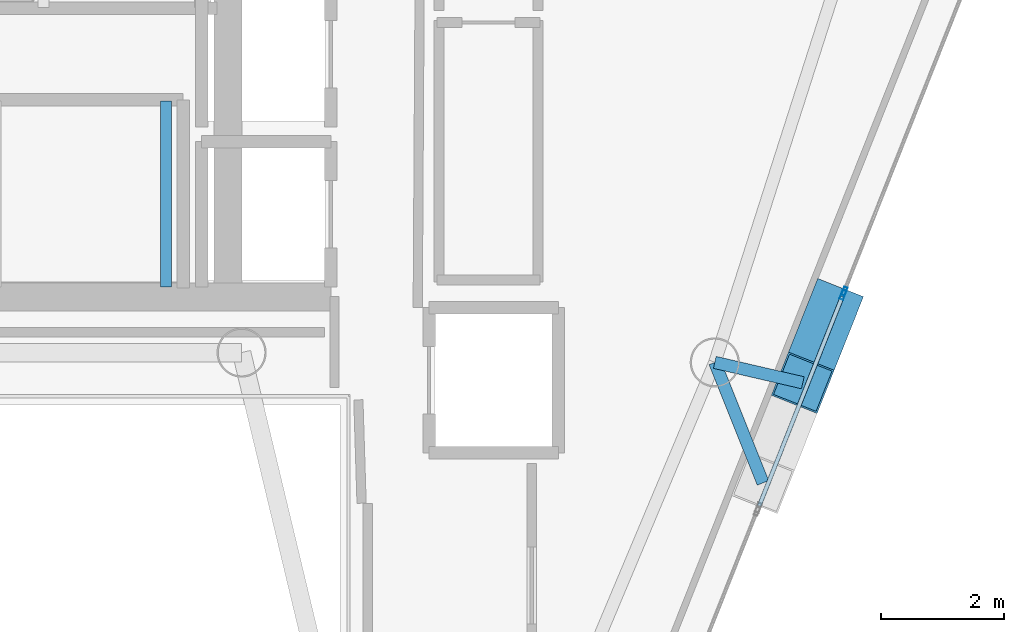
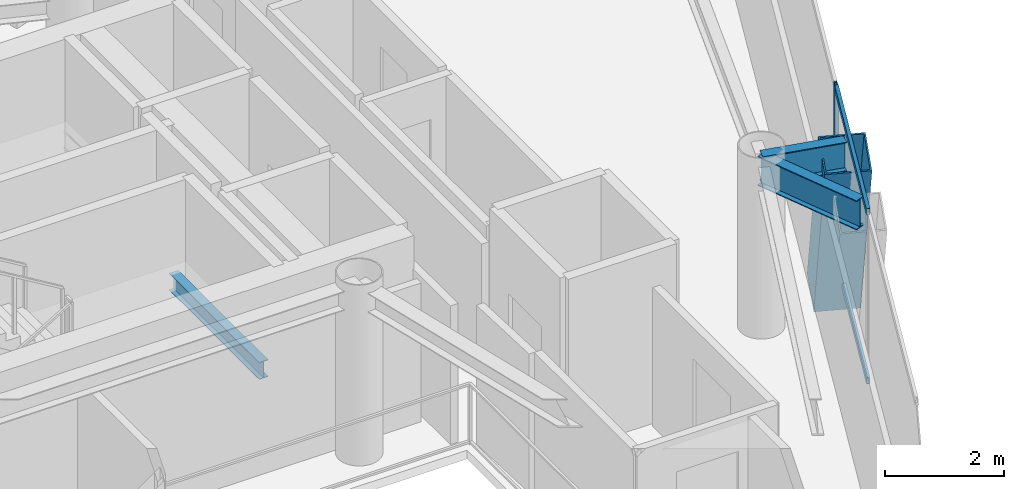
# One storey, part 10 of 18: 5 members, 3 beams, 2 elements without a shape of their own.
"""IFC4 building model written with IfcOpenShell, lengths in metres."""

from ifc_helpers import new_model, si_unit, direction, frame, origin, origin_2d, place, context, subcontext, project, spatial, hollow_rectangle, i_section, extrude, material, layer, layer_set, material_profile, profile_set, type_object, element, aggregate, save


model = new_model("IFC4")

# Units and contexts
model_context = context("Model", 3, precision=1e-05, world=origin(), true_north=direction((0.0, 1.0)))
body_context = subcontext(model_context, "Body", "Model", "MODEL_VIEW")
ifc_project = project(units=[si_unit("LENGTHUNIT", "METRE"), si_unit("AREAUNIT", "SQUARE_METRE"), si_unit("VOLUMEUNIT", "CUBIC_METRE"), si_unit("PLANEANGLEUNIT", "RADIAN"), si_unit("MASSUNIT", "GRAM", prefix="KILO")], contexts=[model_context])

# Site, building, storey
site_placement = place(None, origin())
site = spatial("IfcSite", under=ifc_project, at=site_placement, CompositionType="ELEMENT")
building_placement = place(site_placement, origin())
building = spatial("IfcBuilding", under=site, at=building_placement, Name="Qianvela Tower", CompositionType="ELEMENT")
storey_placement = place(building_placement, frame((0.0, 0.0, 337.0)))
storey = spatial("IfcBuildingStorey", under=building, at=storey_placement, Name="L87", CompositionType="ELEMENT", Elevation=337.0)

# Beams
ifc_material_1 = material(Name="Steel Q355B", Category="steel")
ifc_material_profile_1 = material_profile(ifc_material_1, i_section(OverallWidth=0.175048828125, OverallDepth=0.35009765625, WebThickness=0.007080078125, FlangeThickness=0.010986328125, at=origin_2d()), Name="HN350x175x7x11")
ifc_profile_set_1 = profile_set([ifc_material_profile_1], Name="Steel Q355B")
beam_type_1 = type_object("IfcBeamType", Name="BM-HN350-JOIST", PredefinedType="JOIST", material=ifc_profile_set_1)
beam_1_placement = place(storey_placement, frame((37.169921875, 24.919921875, 1.47509765625), z_axis=(0.0, 1.0, 0.0), x_axis=(-1.0, 0.0, 0.0)))
element("IfcBeam", 1, at=beam_1_placement, inside=storey, type_object=beam_type_1, Name="L87 Stair ST-2 Landing Support Beam 1.2", PredefinedType="JOIST", context=body_context, shape_type="SweptSolid", body=[
    extrude(i_section(OverallWidth=0.175048828125, OverallDepth=0.35009765625, WebThickness=0.007080078125, FlangeThickness=0.010986328125, at=origin_2d()), origin(), (0.0, 0.0, 1.0), 3.02001953125),
])
ifc_material_2 = material(Name="Steel Q355B", Category="steel")
ifc_material_profile_2 = material_profile(ifc_material_2, i_section(OverallWidth=0.199951171875, OverallDepth=0.60009765625, WebThickness=0.010986328125, FlangeThickness=0.01708984375, at=origin_2d()), Name="HN600x200x11x17")
ifc_profile_set_2 = profile_set([ifc_material_profile_2], Name="Steel Q355B")
beam_type_2 = type_object("IfcBeamType", Name="BM-HN600-GIRD", PredefinedType="BEAM", material=ifc_profile_set_2)
beam_2_placement = place(storey_placement, frame((46.094970703125, 23.69091796875, 3.218017578125), z_axis=(0.371629895339, -0.92838096754, 0.0), x_axis=(0.92838096754, 0.371629895339, 0.0)))
element("IfcBeam", 2, at=beam_2_placement, inside=storey, type_object=beam_type_2, Name="L87 Mega-Brace Column Tie Bracket F3-1", PredefinedType="BEAM", context=body_context, shape_type="SweptSolid", body=[
    extrude(i_section(OverallWidth=0.199951171875, OverallDepth=0.60009765625, WebThickness=0.010986328125, FlangeThickness=0.01708984375, at=origin_2d()), origin(), (0.0, 0.0, 1.0), 2.111328125),
])
beam_3_placement = place(storey_placement, frame((46.094970703125, 23.69091796875, 3.218017578125), z_axis=(0.974236909554, -0.22552703621, 0.0), x_axis=(0.22552703621, 0.974236909554, 0.0)))
element("IfcBeam", 3, at=beam_3_placement, inside=storey, type_object=beam_type_2, Name="L87 Mega-Brace Column Tie Bracket F3-2", PredefinedType="BEAM", context=body_context, shape_type="SweptSolid", body=[
    extrude(i_section(OverallWidth=0.199951171875, OverallDepth=0.60009765625, WebThickness=0.010986328125, FlangeThickness=0.01708984375, at=origin_2d()), origin(), (0.0, 0.0, 1.0), 1.468994140625),
])

# Curtain wall, members
ifc_material_3 = material(Name="Anodised Architectural Aluminium and Insulated Spandrel Panel", Category="aluminium")
ifc_layer_1 = layer(ifc_material_3, 0.179931640625)
ifc_layer_set_1 = layer_set([ifc_layer_1], Name="Anodised Architectural Aluminium and Insulated Spandrel Panel")
curtain_wall_type_1 = type_object("IfcCurtainWallType", Name="CW-BRACEBAY", PredefinedType="USERDEFINED", material=ifc_layer_set_1)
curtain_wall_1_placement = place(storey_placement, origin())
curtain_wall_1 = element("IfcCurtainWall", 4, at=curtain_wall_1_placement, inside=storey, type_object=curtain_wall_type_1, Name="L87 CW-BRACEBAY Curtain Wall 06B", ObjectType="CURTAIN_WALL_SYSTEM", PredefinedType="USERDEFINED")
ifc_material_4 = material(Name="Anodised Architectural Aluminium 6063-T6", Category="aluminium")
ifc_material_profile_3 = material_profile(ifc_material_4, hollow_rectangle(XDim=0.06494140625, YDim=0.159912109375, WallThickness=0.0048828125, at=origin_2d()), Name="ALU-MULL-65x160")
ifc_profile_set_3 = profile_set([ifc_material_profile_3], Name="Anodised Architectural Aluminium 6063-T6")
member_type_1 = type_object("IfcMemberType", Name="CW-BRACEBAY-MULL", PredefinedType="MULLION", material=ifc_profile_set_3)
member_1_placement = place(storey_placement, frame((48.1796875, 24.789306640625, 0.0), z_axis=(0.0, 0.0, 1.0), x_axis=(-0.929472331103, 0.368891834708, 0.0)))
member_1 = element("IfcMember", 5, at=member_1_placement, type_object=member_type_1, Name="CW-9 mullion 2", PredefinedType="MULLION", context=body_context, shape_type="SweptSolid", body=[
    extrude(hollow_rectangle(XDim=0.06494140625, YDim=0.159912109375, WallThickness=0.0048828125, at=origin_2d()), origin(), (0.0, 0.0, 1.0), 3.52001953125),
])
ifc_material_5 = material(Name="Anodised Architectural Aluminium 6063-T6", Category="aluminium")
ifc_material_profile_4 = material_profile(ifc_material_5, hollow_rectangle(XDim=0.06494140625, YDim=0.1298828125, WallThickness=0.00439453125, at=origin_2d()), Name="ALU-TRAN-65x130")
ifc_profile_set_4 = profile_set([ifc_material_profile_4], Name="Anodised Architectural Aluminium 6063-T6")
member_type_2 = type_object("IfcMemberType", Name="CW-BRACEBAY-TRAN", PredefinedType="USERDEFINED", material=ifc_profile_set_4)
member_2_placement = place(storey_placement, frame((46.817626953125, 21.357421875, 0.032470703125), z_axis=(0.368882110829, 0.929476190287, 0.0), x_axis=(-0.929476190287, 0.368882110829, 0.0)))
member_2 = element("IfcMember", 6, at=member_2_placement, type_object=member_type_2, Name="CW-9 transom 1.1", ObjectType="TRANSOM", PredefinedType="USERDEFINED", context=body_context, shape_type="SweptSolid", body=[
    extrude(hollow_rectangle(XDim=0.06494140625, YDim=0.1298828125, WallThickness=0.00439453125, at=origin_2d()), origin(), (0.0, 0.0, 1.0), 3.659912109375),
])
member_3_placement = place(storey_placement, frame((46.817626953125, 21.357421875, 3.487548828125), z_axis=(0.368882110829, 0.929476190287, 0.0), x_axis=(-0.929476190287, 0.368882110829, 0.0)))
member_3 = element("IfcMember", 7, at=member_3_placement, type_object=member_type_2, Name="CW-9 transom 1.2", ObjectType="TRANSOM", PredefinedType="USERDEFINED", context=body_context, shape_type="SweptSolid", body=[
    extrude(hollow_rectangle(XDim=0.06494140625, YDim=0.1298828125, WallThickness=0.00439453125, at=origin_2d()), origin(), (0.0, 0.0, 1.0), 3.659912109375),
])
aggregate(curtain_wall_1, [member_1, member_2, member_3])

# Curtain wall, member
ifc_material_6 = material(Name="Anodised Architectural Aluminium and Low-E Glass", Category="aluminium")
ifc_layer_2 = layer(ifc_material_6, 0.14990234375)
ifc_layer_set_2 = layer_set([ifc_layer_2], Name="Anodised Architectural Aluminium and Low-E Glass")
curtain_wall_type_2 = type_object("IfcCurtainWallType", Name="CW-COLIV-Z78", PredefinedType="USERDEFINED", material=ifc_layer_set_2)
curtain_wall_2_placement = place(storey_placement, origin())
curtain_wall_2 = element("IfcCurtainWall", 8, at=curtain_wall_2_placement, inside=storey, type_object=curtain_wall_type_2, Name="L87 CW-COLIV-Z78 Curtain Wall 06C", ObjectType="CURTAIN_WALL_SYSTEM", PredefinedType="USERDEFINED")
ifc_material_7 = material(Name="Anodised Architectural Aluminium 6063-T6", Category="aluminium")
ifc_material_profile_5 = material_profile(ifc_material_7, hollow_rectangle(XDim=0.06005859375, YDim=0.139892578125, WallThickness=0.00439453125, at=origin_2d()), Name="ALU-MULL-60x140")
ifc_profile_set_5 = profile_set([ifc_material_profile_5], Name="Anodised Architectural Aluminium 6063-T6")
member_type_3 = type_object("IfcMemberType", Name="CW-COLIV-Z78-MULL", PredefinedType="MULLION", material=ifc_profile_set_5)
member_4_placement = place(storey_placement, frame((48.202880859375, 24.847412109375, 0.0), z_axis=(0.0, 0.0, 1.0), x_axis=(-0.929473810274, 0.368888107717, 0.0)))
member_4 = element("IfcMember", 9, at=member_4_placement, type_object=member_type_3, Name="CW-6 mullion 1", PredefinedType="MULLION", context=body_context, shape_type="SweptSolid", body=[
    extrude(hollow_rectangle(XDim=0.06005859375, YDim=0.139892578125, WallThickness=0.00439453125, at=origin_2d()), origin(), (0.0, 0.0, 1.0), 3.52001953125),
])
aggregate(curtain_wall_2, [member_4])

# Member
ifc_material_8 = material(Name="Steel Q420GJC", Category="steel")
ifc_material_profile_6 = material_profile(ifc_material_8, hollow_rectangle(XDim=0.800048828125, YDim=0.800048828125, WallThickness=0.028076171875, at=origin_2d()), Name="MBOX-800x800x28")
ifc_profile_set_6 = profile_set([ifc_material_profile_6], Name="Steel Q420GJC")
member_type_4 = type_object("IfcMemberType", Name="MBR-MBRACE-800", PredefinedType="BRACE", material=ifc_profile_set_6)
member_5_placement = place(storey_placement, frame((48.0009765625, 24.555908203125, -0.48193359375), z_axis=(-0.121215673027, -0.305376245672, 0.944485102684), x_axis=(0.929454578275, -0.368936562193, 0.0)))
element("IfcMember", 10, at=member_5_placement, inside=storey, type_object=member_type_4, Name="L87 Tier 14 Exterior Mega-Brace F3B", PredefinedType="BRACE", context=body_context, shape_type="SweptSolid", body=[
    extrude(hollow_rectangle(XDim=0.800048828125, YDim=0.800048828125, WallThickness=0.028076171875, at=origin_2d()), origin(), (0.0, 0.0, 1.0), 3.91748046875),
])

save(model, "model.ifc")
